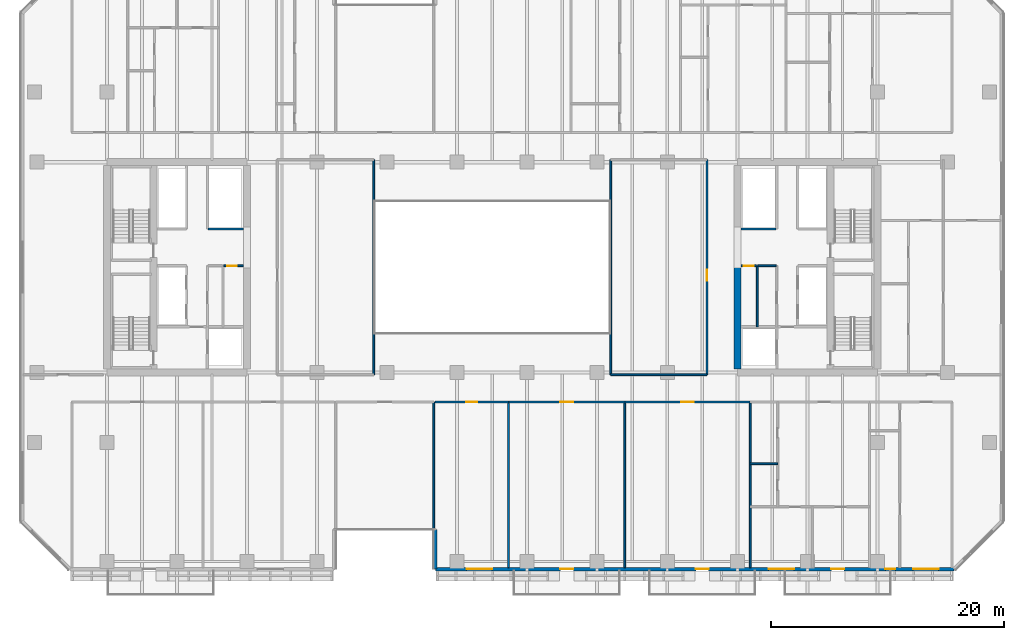
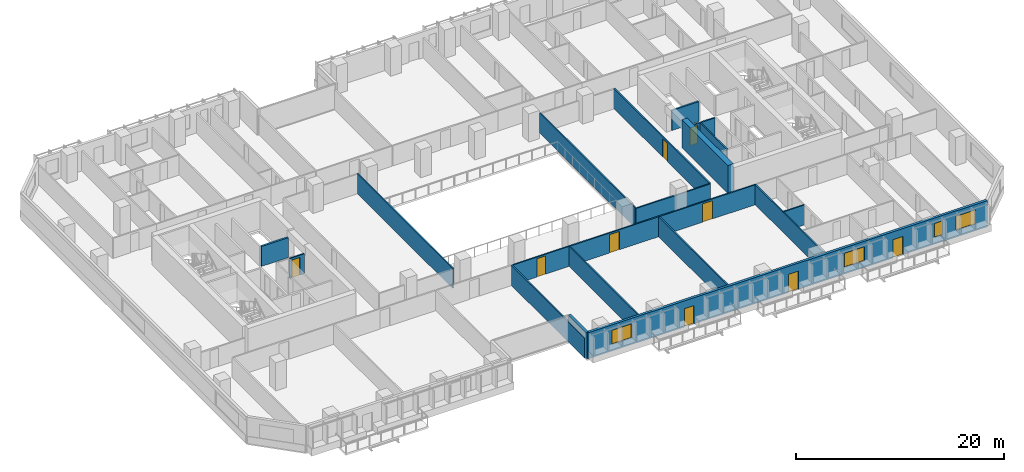
# One storey, part 11 of 25: 21 walls, 9 doors, 4 windows, 13 openings.
"""IFC4 building model written with IfcOpenShell, lengths in metres."""

from ifc_helpers import new_model, si_unit, direction, frame, frame_2d, origin, place, context, subcontext, project, spatial, rectangle, extrude, material, layer, layer_set, type_object, element, fill, save


model = new_model("IFC4")

# Units and contexts
model_context = context("Model", 3, precision=1e-05, world=origin(), true_north=direction((0.0, 1.0)))
body_context = subcontext(model_context, "Body", "Model", "MODEL_VIEW")
ifc_project = project(units=[si_unit("LENGTHUNIT", "METRE"), si_unit("AREAUNIT", "SQUARE_METRE"), si_unit("VOLUMEUNIT", "CUBIC_METRE"), si_unit("PLANEANGLEUNIT", "RADIAN"), si_unit("MASSUNIT", "GRAM", prefix="KILO")], contexts=[model_context])

# Site, building, storey
site_placement = place(None, origin())
site = spatial("IfcSite", under=ifc_project, at=site_placement, CompositionType="ELEMENT")
building_placement = place(site_placement, origin())
building = spatial("IfcBuilding", under=site, at=building_placement, Name="Tanjung Sevakor Pilgrim Tower", CompositionType="ELEMENT")
storey_placement = place(building_placement, frame((0.0, 0.0, 42.239990234375)))
storey = spatial("IfcBuildingStorey", under=building, at=storey_placement, Name="L11", CompositionType="ELEMENT", Elevation=42.239990234375)

# Wall
ifc_material_1 = material(Name="Concrete C60/75", Category="concrete")
ifc_layer_1 = layer(ifc_material_1, 0.60009765625)
ifc_layer_set_1 = layer_set([ifc_layer_1], Name="WALL-CW-600")
wall_type_1 = type_object("IfcWallType", Name="WALL-CW-600", PredefinedType="SHEAR", material=ifc_layer_set_1)
wall_1_placement = place(storey_placement, frame((78.0, 24.89990234375, 0.0), z_axis=(0.0, 0.0, 1.0), x_axis=(0.0, 1.0, 0.0)))
element("IfcWall", 1, at=wall_1_placement, inside=storey, type_object=wall_type_1, Name="L11 E Core Inner Shear Wall South", PredefinedType="SHEAR", context=body_context, shape_type="SweptSolid", body=[
    extrude(rectangle(XDim=8.900146484375, YDim=0.60009765625, at=frame_2d((4.4501953125, 0.0))), origin(), (0.0, 0.0, 1.0), 3.300048828125),
])

# Wall, opening, door
ifc_material_2 = material(Name="Concrete C40/50", Category="concrete")
ifc_layer_2 = layer(ifc_material_2, 0.14990234375)
ifc_layer_set_2 = layer_set([ifc_layer_2], Name="WT-COMP-150")
wall_type_2 = type_object("IfcWallType", Name="WT-COMP-150", PredefinedType="SOLIDWALL", material=ifc_layer_set_2)
wall_2_placement = place(storey_placement, frame((34.010009765625, 33.719970703125, 0.0), z_axis=(0.0, 0.0, 1.0), x_axis=(1.0, 0.0, 0.0)))
wall_2 = element("IfcWall", 2, at=wall_2_placement, inside=storey, type_object=wall_type_2, Name="L11 Partition IW-L11-007", PredefinedType="SOLIDWALL", context=body_context, shape_type="SweptSolid", body=[
    extrude(rectangle(XDim=1.669921875, YDim=0.14990234375, at=frame_2d((0.8349609375, 0.0))), origin(), (0.0, 0.0, 1.0), 2.35009765625),
])
opening_1_placement = place(wall_2_placement, frame((0.280029296875, 0.0, 0.0)))
opening_1 = element("IfcOpeningElement", 3, at=opening_1_placement, cuts=wall_2, Name="Opening ID-FD3", PredefinedType="OPENING", context=body_context, shape_type="SweptSolid", body=[
    extrude(rectangle(XDim=0.85009765625, YDim=2.10009765625, at=frame_2d((0.425048828125, 1.050048828125))), frame((0.0, 0.0849609375, 0.0), z_axis=(0.0, -1.0, 0.0), x_axis=(1.0, 0.0, 0.0)), (0.0, 0.0, 1.0), 0.169921875),
])
ifc_material_3 = material(Name="Fire-Rated Timber", Category="wood")
door_type_1 = type_object("IfcDoorType", Name="DT-FIRE-850", OperationType="NOTDEFINED", PredefinedType="DOOR", material=ifc_material_3)
door_1_placement = place(opening_1_placement, origin())
door_1 = element("IfcDoor", 4, at=door_1_placement, inside=storey, type_object=door_type_1, Name="L11 Service Store Door", OperationType="SINGLE_SWING_RIGHT", OverallHeight=2.10009765625, OverallWidth=0.85009765625, PredefinedType="DOOR", context=body_context, shape_type="SweptSolid", body=[
    extrude(rectangle(XDim=0.85009765625, YDim=2.10009765625, at=frame_2d((0.425048828125, 1.050048828125))), frame((0.0, 0.02490234375, 0.0), z_axis=(0.0, -1.0, 0.0), x_axis=(1.0, 0.0, 0.0)), (0.0, 0.0, 1.0), 0.050048828125),
])
fill(opening_1, door_1)

# Walls
wall_3_placement = place(storey_placement, frame((79.699951171875, 28.5, 0.0), z_axis=(0.0, 0.0, 1.0), x_axis=(0.0, 1.0, 0.0)))
element("IfcWall", 5, at=wall_3_placement, inside=storey, type_object=wall_type_2, Name="L11 Partition IW-L11-017", PredefinedType="SOLIDWALL", context=body_context, shape_type="SweptSolid", body=[
    extrude(rectangle(XDim=5.219970703125, YDim=0.14990234375, at=frame_2d((2.60986328125, 0.0))), origin(), (0.0, 0.0, 1.0), 2.35009765625),
])
wall_4_placement = place(storey_placement, frame((79.760009765625, 33.719970703125, 0.0), z_axis=(0.0, 0.0, 1.0), x_axis=(1.0, 0.0, 0.0)))
element("IfcWall", 6, at=wall_4_placement, inside=storey, type_object=wall_type_2, Name="L11 Partition IW-L11-018", PredefinedType="SOLIDWALL", context=body_context, shape_type="SweptSolid", body=[
    extrude(rectangle(XDim=1.56005859375, YDim=0.14990234375, at=frame_2d((0.780029296875, 0.0))), origin(), (0.0, 0.0, 1.0), 2.35009765625),
])

# Wall, opening, door
wall_5_placement = place(storey_placement, frame((78.320068359375, 33.719970703125, 0.0), z_axis=(0.0, 0.0, 1.0), x_axis=(1.0, 0.0, 0.0)))
wall_5 = element("IfcWall", 7, at=wall_5_placement, inside=storey, type_object=wall_type_2, Name="L11 Partition IW-L11-019", PredefinedType="SOLIDWALL", context=body_context, shape_type="SweptSolid", body=[
    extrude(rectangle(XDim=1.31982421875, YDim=0.14990234375, at=frame_2d((0.659912109375, 0.0))), origin(), (0.0, 0.0, 1.0), 2.35009765625),
])
opening_2_placement = place(wall_5_placement, frame((0.219970703125, 0.0, 0.0)))
opening_2 = element("IfcOpeningElement", 8, at=opening_2_placement, cuts=wall_5, Name="Opening ID-FD3", PredefinedType="OPENING", context=body_context, shape_type="SweptSolid", body=[
    extrude(rectangle(XDim=0.85009765625, YDim=2.10009765625, at=frame_2d((0.425048828125, 1.050048828125))), frame((0.0, 0.0849609375, 0.0), z_axis=(0.0, -1.0, 0.0), x_axis=(1.0, 0.0, 0.0)), (0.0, 0.0, 1.0), 0.169921875),
])
door_2_placement = place(opening_2_placement, origin())
door_2 = element("IfcDoor", 9, at=door_2_placement, inside=storey, type_object=door_type_1, Name="L11 Service Store Door", OperationType="SINGLE_SWING_RIGHT", OverallHeight=2.10009765625, OverallWidth=0.85009765625, PredefinedType="DOOR", context=body_context, shape_type="SweptSolid", body=[
    extrude(rectangle(XDim=0.85009765625, YDim=2.10009765625, at=frame_2d((0.425048828125, 1.050048828125))), frame((0.0, 0.02490234375, 0.0), z_axis=(0.0, -1.0, 0.0), x_axis=(1.0, 0.0, 0.0)), (0.0, 0.0, 1.0), 0.050048828125),
])
fill(opening_2, door_2)

# Walls
wall_6_placement = place(storey_placement, frame((46.85009765625, 24.39990234375, 0.0), z_axis=(0.0, 0.0, 1.0), x_axis=(0.0, 1.0, 0.0)))
element("IfcWall", 10, at=wall_6_placement, inside=storey, type_object=wall_type_2, Name="L11 Partition IW-L11-028", PredefinedType="SOLIDWALL", context=body_context, shape_type="SweptSolid", body=[
    extrude(rectangle(XDim=18.400146484375, YDim=0.14990234375, at=frame_2d((9.2001953125, 0.0))), origin(), (0.0, 0.0, 1.0), 2.35009765625),
])
wall_7_placement = place(storey_placement, frame((67.14990234375, 24.39990234375, 0.0), z_axis=(0.0, 0.0, 1.0), x_axis=(1.0, 0.0, 0.0)))
element("IfcWall", 11, at=wall_7_placement, inside=storey, type_object=wall_type_2, Name="L11 Partition IW-L11-029", PredefinedType="SOLIDWALL", context=body_context, shape_type="SweptSolid", body=[
    extrude(rectangle(XDim=8.25, YDim=0.14990234375, at=frame_2d((4.125, 0.0))), origin(), (0.0, 0.0, 1.0), 2.295166015625),
])
wall_8_placement = place(storey_placement, frame((67.14990234375, 24.39990234375, 0.0), z_axis=(0.0, 0.0, 1.0), x_axis=(0.0, 1.0, 0.0)))
element("IfcWall", 12, at=wall_8_placement, inside=storey, type_object=wall_type_2, Name="L11 Partition IW-L11-031", PredefinedType="SOLIDWALL", context=body_context, shape_type="SweptSolid", body=[
    extrude(rectangle(XDim=18.400146484375, YDim=0.14990234375, at=frame_2d((9.2001953125, 0.0))), origin(), (0.0, 0.0, 1.0), 2.35009765625),
])

# Wall, opening, door
wall_9_placement = place(storey_placement, frame((75.39990234375, 24.39990234375, 0.0), z_axis=(0.0, 0.0, 1.0), x_axis=(0.0, 1.0, 0.0)))
wall_9 = element("IfcWall", 13, at=wall_9_placement, inside=storey, type_object=wall_type_2, Name="L11 Partition IW-L11-032", PredefinedType="SOLIDWALL", context=body_context, shape_type="SweptSolid", body=[
    extrude(rectangle(XDim=18.400146484375, YDim=0.14990234375, at=frame_2d((9.2001953125, 0.0))), origin(), (0.0, 0.0, 1.0), 2.35009765625),
])
opening_3_placement = place(wall_9_placement, frame((8.02490234375, 0.0, 0.0)))
opening_3 = element("IfcOpeningElement", 14, at=opening_3_placement, cuts=wall_9, Name="Opening ID-RM1", PredefinedType="OPENING", context=body_context, shape_type="SweptSolid", body=[
    extrude(rectangle(XDim=0.949951171875, YDim=2.14990234375, at=frame_2d((0.47509765625, 1.074951171875))), frame((0.0, 0.0849609375, 0.0), z_axis=(0.0, -1.0, 0.0), x_axis=(1.0, 0.0, 0.0)), (0.0, 0.0, 1.0), 0.169921875),
])
ifc_material_4 = material(Name="Hardwood Timber", Category="wood")
door_type_2 = type_object("IfcDoorType", Name="DT-INT-950", OperationType="NOTDEFINED", PredefinedType="DOOR", material=ifc_material_4)
door_3_placement = place(opening_3_placement, origin())
door_3 = element("IfcDoor", 15, at=door_3_placement, inside=storey, type_object=door_type_2, Name="L11 Central East Room Door", OperationType="SINGLE_SWING_LEFT", OverallHeight=2.14990234375, OverallWidth=0.949951171875, PredefinedType="DOOR", context=body_context, shape_type="SweptSolid", body=[
    extrude(rectangle(XDim=0.949951171875, YDim=2.14990234375, at=frame_2d((0.47509765625, 1.074951171875))), frame((0.0, 0.02490234375, 0.0), z_axis=(0.0, -1.0, 0.0), x_axis=(1.0, 0.0, 0.0)), (0.0, 0.0, 1.0), 0.050048828125),
])
fill(opening_3, door_3)

# Walls
for number, where, z_axis, x_axis, name in (
    (16, (52.0, 7.8798828125, 0.0), (0.0, 0.0, 1.0), (0.0, 1.0, 0.0), "L11 Partition IW-L11-042"),
    (17, (58.408203125, 7.8798828125, 0.0), (0.0, 0.0, 1.0), (0.0, 1.0, 0.0), "L11 Partition IW-L11-051"),
):
    element("IfcWall", number, at=place(storey_placement, frame(where, z_axis=z_axis, x_axis=x_axis)), inside=storey, type_object=wall_type_2, Name=name, PredefinedType="SOLIDWALL", context=body_context, shape_type="SweptSolid", body=[
        extrude(rectangle(XDim=14.170166015625, YDim=0.14990234375, at=frame_2d((7.0849609375, 0.0))), origin(), (0.0, 0.0, 1.0), 2.35009765625),
    ])

# Wall, opening, door
wall_10_placement = place(storey_placement, frame((52.1201171875, 22.050048828125, 0.0), z_axis=(0.0, 0.0, 1.0), x_axis=(1.0, 0.0, 0.0)))
wall_10 = element("IfcWall", 18, at=wall_10_placement, inside=storey, type_object=wall_type_2, Name="L11 Partition IW-L11-052", PredefinedType="SOLIDWALL", context=body_context, shape_type="SweptSolid", body=[
    extrude(rectangle(XDim=6.2880859375, YDim=0.14990234375, at=frame_2d((3.14404296875, 0.0))), origin(), (0.0, 0.0, 1.0), 2.35009765625),
])
opening_4_placement = place(wall_10_placement, frame((2.669189453125, 0.0, 0.0)))
opening_4 = element("IfcOpeningElement", 19, at=opening_4_placement, cuts=wall_10, Name="Opening ID-FD2", PredefinedType="OPENING", context=body_context, shape_type="SweptSolid", body=[
    extrude(rectangle(XDim=0.949951171875, YDim=2.14990234375, at=frame_2d((0.47509765625, 1.074951171875))), frame((0.0, 0.0849609375, 0.0), z_axis=(0.0, -1.0, 0.0), x_axis=(1.0, 0.0, 0.0)), (0.0, 0.0, 1.0), 0.169921875),
])
ifc_material_5 = material(Name="Fire-Rated Timber", Category="wood")
door_type_3 = type_object("IfcDoorType", Name="DT-FIRE-950", OperationType="NOTDEFINED", PredefinedType="DOOR", material=ifc_material_5)
door_4_placement = place(opening_4_placement, origin())
door_4 = element("IfcDoor", 20, at=door_4_placement, inside=storey, type_object=door_type_3, Name="Housekeeping Pantry Door", OperationType="SINGLE_SWING_LEFT", OverallHeight=2.14990234375, OverallWidth=0.949951171875, PredefinedType="DOOR", context=body_context, shape_type="SweptSolid", body=[
    extrude(rectangle(XDim=0.949951171875, YDim=2.14990234375, at=frame_2d((0.47509765625, 1.074951171875))), frame((0.0, 0.02490234375, 0.0), z_axis=(0.0, -1.0, 0.0), x_axis=(1.0, 0.0, 0.0)), (0.0, 0.0, 1.0), 0.050048828125),
])
fill(opening_4, door_4)

# Wall
wall_11_placement = place(storey_placement, frame((68.36474609375, 7.8798828125, 0.0), z_axis=(0.0, 0.0, 1.0), x_axis=(0.0, 1.0, 0.0)))
element("IfcWall", 21, at=wall_11_placement, inside=storey, type_object=wall_type_2, Name="L11 Partition IW-L11-053", PredefinedType="SOLIDWALL", context=body_context, shape_type="SweptSolid", body=[
    extrude(rectangle(XDim=14.170166015625, YDim=0.14990234375, at=frame_2d((7.0849609375, 0.0))), origin(), (0.0, 0.0, 1.0), 2.35009765625),
])

# Wall, opening, door
wall_12_placement = place(storey_placement, frame((58.408203125, 22.050048828125, 0.0), z_axis=(0.0, 0.0, 1.0), x_axis=(1.0, 0.0, 0.0)))
wall_12 = element("IfcWall", 22, at=wall_12_placement, inside=storey, type_object=wall_type_2, Name="L11 Partition IW-L11-054", PredefinedType="SOLIDWALL", context=body_context, shape_type="SweptSolid", body=[
    extrude(rectangle(XDim=9.95654296875, YDim=0.14990234375, at=frame_2d((4.978271484375, 0.0))), origin(), (0.0, 0.0, 1.0), 2.35009765625),
])
opening_5_placement = place(wall_12_placement, frame((4.42822265625, 0.0, 0.0)))
opening_5 = element("IfcOpeningElement", 23, at=opening_5_placement, cuts=wall_12, Name="Opening ID-FD0", PredefinedType="OPENING", context=body_context, shape_type="SweptSolid", body=[
    extrude(rectangle(XDim=1.10009765625, YDim=2.14990234375, at=frame_2d((0.550048828125, 1.074951171875))), frame((0.0, 0.0849609375, 0.0), z_axis=(0.0, -1.0, 0.0), x_axis=(1.0, 0.0, 0.0)), (0.0, 0.0, 1.0), 0.169921875),
])
ifc_material_6 = material(Name="Fire-Rated Steel S355J2", Category="steel")
door_type_4 = type_object("IfcDoorType", Name="DT-FIRE-1100", OperationType="NOTDEFINED", PredefinedType="DOOR", material=ifc_material_6)
door_5_placement = place(opening_5_placement, origin())
door_5 = element("IfcDoor", 24, at=door_5_placement, inside=storey, type_object=door_type_4, Name="Seminar Room Door", OperationType="SINGLE_SWING_RIGHT", OverallHeight=2.14990234375, OverallWidth=1.10009765625, PredefinedType="DOOR", context=body_context, shape_type="SweptSolid", body=[
    extrude(rectangle(XDim=1.10009765625, YDim=2.14990234375, at=frame_2d((0.550048828125, 1.074951171875))), frame((0.0, 0.02490234375, 0.0), z_axis=(0.0, -1.0, 0.0), x_axis=(1.0, 0.0, 0.0)), (0.0, 0.0, 1.0), 0.050048828125),
])
fill(opening_5, door_5)

# Wall
wall_13_placement = place(storey_placement, frame((79.107177734375, 7.8798828125, 0.0), z_axis=(0.0, 0.0, 1.0), x_axis=(0.0, 1.0, 0.0)))
element("IfcWall", 25, at=wall_13_placement, inside=storey, type_object=wall_type_2, Name="L11 Partition IW-L11-055", PredefinedType="SOLIDWALL", context=body_context, shape_type="SweptSolid", body=[
    extrude(rectangle(XDim=14.170166015625, YDim=0.14990234375, at=frame_2d((7.0849609375, 0.0))), origin(), (0.0, 0.0, 1.0), 2.35009765625),
])

# Wall, opening, door
wall_14_placement = place(storey_placement, frame((68.36474609375, 22.050048828125, 0.0), z_axis=(0.0, 0.0, 1.0), x_axis=(1.0, 0.0, 0.0)))
wall_14 = element("IfcWall", 26, at=wall_14_placement, inside=storey, type_object=wall_type_2, Name="L11 Partition IW-L11-056", PredefinedType="SOLIDWALL", context=body_context, shape_type="SweptSolid", body=[
    extrude(rectangle(XDim=10.742431640625, YDim=0.14990234375, at=frame_2d((5.37109375, 0.0))), origin(), (0.0, 0.0, 1.0), 2.35009765625),
])
opening_6_placement = place(wall_14_placement, frame((4.8212890625, 0.0, 0.0)))
opening_6 = element("IfcOpeningElement", 27, at=opening_6_placement, cuts=wall_14, Name="Opening ID-FD0", PredefinedType="OPENING", context=body_context, shape_type="SweptSolid", body=[
    extrude(rectangle(XDim=1.10009765625, YDim=2.14990234375, at=frame_2d((0.550048828125, 1.074951171875))), frame((0.0, 0.0849609375, 0.0), z_axis=(0.0, -1.0, 0.0), x_axis=(1.0, 0.0, 0.0)), (0.0, 0.0, 1.0), 0.169921875),
])
door_6_placement = place(opening_6_placement, origin())
door_6 = element("IfcDoor", 28, at=door_6_placement, inside=storey, type_object=door_type_4, Name="Observatory Door", OperationType="SINGLE_SWING_LEFT", OverallHeight=2.14990234375, OverallWidth=1.10009765625, PredefinedType="DOOR", context=body_context, shape_type="SweptSolid", body=[
    extrude(rectangle(XDim=1.10009765625, YDim=2.14990234375, at=frame_2d((0.550048828125, 1.074951171875))), frame((0.0, 0.02490234375, 0.0), z_axis=(0.0, -1.0, 0.0), x_axis=(1.0, 0.0, 0.0)), (0.0, 0.0, 1.0), 0.050048828125),
])
fill(opening_6, door_6)

# Wall
ifc_material_7 = material(Name="Precast concrete C45/55", Category="concrete")
ifc_layer_3 = layer(ifc_material_7, 0.280029296875)
ifc_layer_set_3 = layer_set([ifc_layer_3], Name="WT-EW-STN2")
wall_type_3 = type_object("IfcWallType", Name="WT-EW-STN2", PredefinedType="SOLIDWALL", material=ifc_layer_set_3)
wall_15_placement = place(storey_placement, frame((52.139892578125, 11.139892578125, 0.0), z_axis=(0.0, 0.0, 1.0), x_axis=(0.0, -1.0, 0.0)))
element("IfcWall", 29, at=wall_15_placement, inside=storey, type_object=wall_type_3, Name="L11 MAIN Exterior Wall 4", PredefinedType="SOLIDWALL", context=body_context, shape_type="SweptSolid", body=[
    extrude(rectangle(XDim=3.39990234375, YDim=0.280029296875, at=frame_2d((1.699951171875, 0.0))), origin(), (0.0, 0.0, 1.0), 3.080078125),
])

# Wall, openings, doors, windows
wall_16_placement = place(storey_placement, frame((52.139892578125, 7.739990234375, 0.0), z_axis=(0.0, 0.0, 1.0), x_axis=(1.0, 0.0, 0.0)))
wall_16 = element("IfcWall", 30, at=wall_16_placement, inside=storey, type_object=wall_type_3, Name="L11 MAIN Exterior Wall 5", PredefinedType="SOLIDWALL", context=body_context, shape_type="SweptSolid", body=[
    extrude(rectangle(XDim=44.402099609375, YDim=0.280029296875, at=frame_2d((22.201171875, 0.0))), origin(), (0.0, 0.0, 1.0), 3.080078125),
])
opening_7_placement = place(wall_16_placement, frame((10.7099609375, 0.0, 0.0)))
opening_7 = element("IfcOpeningElement", 31, at=opening_7_placement, cuts=wall_16, Name="Opening ED-BAL-1100", PredefinedType="OPENING", context=body_context, shape_type="SweptSolid", body=[
    extrude(rectangle(XDim=1.10009765625, YDim=2.14990234375, at=frame_2d((0.550048828125, 1.074951171875))), frame((0.0, 0.14990234375, 0.0), z_axis=(0.0, -1.0, 0.0), x_axis=(1.0, 0.0, 0.0)), (0.0, 0.0, 1.0), 0.300048828125),
])
opening_8_placement = place(wall_16_placement, frame((22.31005859375, 0.0, 0.0)))
opening_8 = element("IfcOpeningElement", 32, at=opening_8_placement, cuts=wall_16, Name="Opening ED-BAL-1100", PredefinedType="OPENING", context=body_context, shape_type="SweptSolid", body=[
    extrude(rectangle(XDim=1.10009765625, YDim=2.14990234375, at=frame_2d((0.550048828125, 1.074951171875))), frame((0.0, 0.14990234375, 0.0), z_axis=(0.0, -1.0, 0.0), x_axis=(1.0, 0.0, 0.0)), (0.0, 0.0, 1.0), 0.300048828125),
])
opening_9_placement = place(wall_16_placement, frame((33.909912109375, 0.0, 0.0)))
opening_9 = element("IfcOpeningElement", 33, at=opening_9_placement, cuts=wall_16, Name="Opening ED-BAL-1100", PredefinedType="OPENING", context=body_context, shape_type="SweptSolid", body=[
    extrude(rectangle(XDim=1.10009765625, YDim=2.14990234375, at=frame_2d((0.550048828125, 1.074951171875))), frame((0.0, 0.14990234375, 0.0), z_axis=(0.0, -1.0, 0.0), x_axis=(1.0, 0.0, 0.0)), (0.0, 0.0, 1.0), 0.300048828125),
])
opening_10_placement = place(wall_16_placement, frame((2.664306640625, 0.0, 0.780029296875)))
opening_10 = element("IfcOpeningElement", 34, at=opening_10_placement, cuts=wall_16, Name="Opening WN-Z1-1660", PredefinedType="OPENING", context=body_context, shape_type="SweptSolid", body=[
    extrude(rectangle(XDim=2.199951171875, YDim=1.659912109375, at=frame_2d((1.10009765625, 0.830078125))), frame((0.0, 0.14990234375, 0.0), z_axis=(0.0, -1.0, 0.0), x_axis=(1.0, 0.0, 0.0)), (0.0, 0.0, 1.0), 0.300048828125),
])
opening_11_placement = place(wall_16_placement, frame((28.533935546875, 0.0, 0.780029296875)))
opening_11 = element("IfcOpeningElement", 35, at=opening_11_placement, cuts=wall_16, Name="Opening WN-Z1-1660", PredefinedType="OPENING", context=body_context, shape_type="SweptSolid", body=[
    extrude(rectangle(XDim=2.199951171875, YDim=1.659912109375, at=frame_2d((1.10009765625, 0.830078125))), frame((0.0, 0.14990234375, 0.0), z_axis=(0.0, -1.0, 0.0), x_axis=(1.0, 0.0, 0.0)), (0.0, 0.0, 1.0), 0.300048828125),
])
opening_12_placement = place(wall_16_placement, frame((38.5478515625, 0.0, 0.780029296875)))
opening_12 = element("IfcOpeningElement", 36, at=opening_12_placement, cuts=wall_16, Name="Opening WN-SLM", PredefinedType="OPENING", context=body_context, shape_type="SweptSolid", body=[
    extrude(rectangle(XDim=0.85009765625, YDim=1.64990234375, at=frame_2d((0.425048828125, 0.824951171875))), frame((0.0, 0.14990234375, 0.0), z_axis=(0.0, -1.0, 0.0), x_axis=(1.0, 0.0, 0.0)), (0.0, 0.0, 1.0), 0.300048828125),
])
opening_13_placement = place(wall_16_placement, frame((40.909912109375, 0.0, 0.780029296875)))
opening_13 = element("IfcOpeningElement", 37, at=opening_13_placement, cuts=wall_16, Name="Opening WN-Z1-1660", PredefinedType="OPENING", context=body_context, shape_type="SweptSolid", body=[
    extrude(rectangle(XDim=2.199951171875, YDim=1.659912109375, at=frame_2d((1.10009765625, 0.830078125))), frame((0.0, 0.14990234375, 0.0), z_axis=(0.0, -1.0, 0.0), x_axis=(1.0, 0.0, 0.0)), (0.0, 0.0, 1.0), 0.300048828125),
])
ifc_material_8 = material(Name="Anodised Aluminium and Laminated Glass", Category="aluminium")
door_type_5 = type_object("IfcDoorType", Name="DTYP-ED-BAL-1100", OperationType="NOTDEFINED", PredefinedType="DOOR", material=ifc_material_8)
door_7_placement = place(opening_7_placement, frame((1.10009765625, 0.0, 0.0), z_axis=(0.0, 0.0, 1.0), x_axis=(-1.0, 0.0, 0.0)))
door_7 = element("IfcDoor", 38, at=door_7_placement, inside=storey, type_object=door_type_5, Name="L11 Balcony Door MAIN-S2", OperationType="SINGLE_SWING_LEFT", OverallHeight=2.14990234375, OverallWidth=1.10009765625, PredefinedType="DOOR", context=body_context, shape_type="SweptSolid", body=[
    extrude(rectangle(XDim=1.10009765625, YDim=2.14990234375, at=frame_2d((0.550048828125, 1.074951171875))), frame((0.0, 0.02490234375, 0.0), z_axis=(0.0, -1.0, 0.0), x_axis=(1.0, 0.0, 0.0)), (0.0, 0.0, 1.0), 0.050048828125),
])
fill(opening_7, door_7)
door_8_placement = place(opening_8_placement, frame((1.10009765625, 0.0, 0.0), z_axis=(0.0, 0.0, 1.0), x_axis=(-1.0, 0.0, 0.0)))
door_8 = element("IfcDoor", 39, at=door_8_placement, inside=storey, type_object=door_type_5, Name="L11 Balcony Door MAIN-S3", OperationType="SINGLE_SWING_RIGHT", OverallHeight=2.14990234375, OverallWidth=1.10009765625, PredefinedType="DOOR", context=body_context, shape_type="SweptSolid", body=[
    extrude(rectangle(XDim=1.10009765625, YDim=2.14990234375, at=frame_2d((0.550048828125, 1.074951171875))), frame((0.0, 0.02490234375, 0.0), z_axis=(0.0, -1.0, 0.0), x_axis=(1.0, 0.0, 0.0)), (0.0, 0.0, 1.0), 0.050048828125),
])
fill(opening_8, door_8)
door_9_placement = place(opening_9_placement, frame((1.10009765625, 0.0, 0.0), z_axis=(0.0, 0.0, 1.0), x_axis=(-1.0, 0.0, 0.0)))
door_9 = element("IfcDoor", 40, at=door_9_placement, inside=storey, type_object=door_type_5, Name="L11 Balcony Door MAIN-S4", OperationType="SINGLE_SWING_LEFT", OverallHeight=2.14990234375, OverallWidth=1.10009765625, PredefinedType="DOOR", context=body_context, shape_type="SweptSolid", body=[
    extrude(rectangle(XDim=1.10009765625, YDim=2.14990234375, at=frame_2d((0.550048828125, 1.074951171875))), frame((0.0, 0.02490234375, 0.0), z_axis=(0.0, -1.0, 0.0), x_axis=(1.0, 0.0, 0.0)), (0.0, 0.0, 1.0), 0.050048828125),
])
fill(opening_9, door_9)
ifc_material_9 = material(Name="Thermally Broken Aluminium and Low-E Glass", Category="aluminium")
window_type_1 = type_object("IfcWindowType", Name="WTYP-WN-SLM", PartitioningType="SINGLE_PANEL", PredefinedType="WINDOW", material=ifc_material_9)
window_1_placement = place(opening_12_placement, origin())
window_1 = element("IfcWindow", 41, at=window_1_placement, inside=storey, type_object=window_type_1, Name="L11 Facade Window 03", OverallHeight=1.64990234375, OverallWidth=0.85009765625, PartitioningType="SINGLE_PANEL", PredefinedType="WINDOW", context=body_context, shape_type="SweptSolid", body=[
    extrude(rectangle(XDim=0.85009765625, YDim=1.64990234375, at=frame_2d((0.425048828125, 0.824951171875))), frame((0.0, 0.030029296875, 0.0), z_axis=(0.0, -1.0, 0.0), x_axis=(1.0, 0.0, 0.0)), (0.0, 0.0, 1.0), 0.06005859375),
])
fill(opening_12, window_1)
ifc_material_10 = material(Name="Thermally Broken Aluminium and Low-E Glass", Category="aluminium")
window_type_2 = type_object("IfcWindowType", Name="WTYP-WN-Z1-1660", PartitioningType="DOUBLE_PANEL_VERTICAL", PredefinedType="WINDOW", material=ifc_material_10)
window_2_placement = place(opening_10_placement, origin())
window_2 = element("IfcWindow", 42, at=window_2_placement, inside=storey, type_object=window_type_2, Name="L11 Facade Window 01", OverallHeight=1.659912109375, OverallWidth=2.199951171875, PartitioningType="SINGLE_PANEL", PredefinedType="WINDOW", context=body_context, shape_type="SweptSolid", body=[
    extrude(rectangle(XDim=2.199951171875, YDim=1.659912109375, at=frame_2d((1.10009765625, 0.830078125))), frame((0.0, 0.030029296875, 0.0), z_axis=(0.0, -1.0, 0.0), x_axis=(1.0, 0.0, 0.0)), (0.0, 0.0, 1.0), 0.06005859375),
])
fill(opening_10, window_2)
window_3_placement = place(opening_11_placement, origin())
window_3 = element("IfcWindow", 43, at=window_3_placement, inside=storey, type_object=window_type_2, Name="L11 Facade Window 02", OverallHeight=1.659912109375, OverallWidth=2.199951171875, PartitioningType="SINGLE_PANEL", PredefinedType="WINDOW", context=body_context, shape_type="SweptSolid", body=[
    extrude(rectangle(XDim=2.199951171875, YDim=1.659912109375, at=frame_2d((1.10009765625, 0.830078125))), frame((0.0, 0.030029296875, 0.0), z_axis=(0.0, -1.0, 0.0), x_axis=(1.0, 0.0, 0.0)), (0.0, 0.0, 1.0), 0.06005859375),
])
fill(opening_11, window_3)
window_4_placement = place(opening_13_placement, origin())
window_4 = element("IfcWindow", 44, at=window_4_placement, inside=storey, type_object=window_type_2, Name="L11 Facade Window 04", OverallHeight=1.659912109375, OverallWidth=2.199951171875, PartitioningType="SINGLE_PANEL", PredefinedType="WINDOW", context=body_context, shape_type="SweptSolid", body=[
    extrude(rectangle(XDim=2.199951171875, YDim=1.659912109375, at=frame_2d((1.10009765625, 0.830078125))), frame((0.0, 0.030029296875, 0.0), z_axis=(0.0, -1.0, 0.0), x_axis=(1.0, 0.0, 0.0)), (0.0, 0.0, 1.0), 0.06005859375),
])
fill(opening_13, window_4)

# Walls
ifc_material_11 = material(Name="Concrete C40/50", Category="concrete")
ifc_layer_4 = layer(ifc_material_11, 0.199951171875)
ifc_layer_set_4 = layer_set([ifc_layer_4], Name="WT-FPRT-200")
wall_type_4 = type_object("IfcWallType", Name="WT-FPRT-200", PredefinedType="SOLIDWALL", material=ifc_layer_set_4)
for number, where, z_axis, x_axis, name in (
    (45, (32.679931640625, 36.8798828125, 0.0), (0.0, 0.0, 1.0), (1.0, 0.0, 0.0), "L11 Partition IW-L11-011"),
    (46, (78.320068359375, 36.8798828125, 0.0), (0.0, 0.0, 1.0), (1.0, 0.0, 0.0), "L11 Partition IW-L11-023"),
):
    element("IfcWall", number, at=place(storey_placement, frame(where, z_axis=z_axis, x_axis=x_axis)), inside=storey, type_object=wall_type_4, Name=name, PredefinedType="SOLIDWALL", context=body_context, shape_type="SweptSolid", body=[
        extrude(rectangle(XDim=3.0, YDim=0.199951171875, at=frame_2d((1.5, 0.0))), origin(), (0.0, 0.0, 1.0), 2.35009765625),
    ])
ifc_material_12 = material(Name="Gypsum Board Partition", Category="gypsum board")
ifc_layer_5 = layer(ifc_material_12, 0.14990234375)
ifc_layer_set_5 = layer_set([ifc_layer_5], Name="WT-PART-150")
wall_type_5 = type_object("IfcWallType", Name="WT-PART-150", PredefinedType="PARTITIONING", material=ifc_layer_set_5)
wall_17_placement = place(storey_placement, frame((79.107177734375, 16.7578125, 0.0), z_axis=(0.0, 0.0, 1.0), x_axis=(1.0, 0.0, 0.0)))
element("IfcWall", 47, at=wall_17_placement, inside=storey, type_object=wall_type_5, Name="L11 Partition IW-L11-058", PredefinedType="PARTITIONING", context=body_context, shape_type="SweptSolid", body=[
    extrude(rectangle(XDim=2.35009765625, YDim=0.14990234375, at=frame_2d((1.175048828125, 0.0))), origin(), (0.0, 0.0, 1.0), 2.35009765625),
])

save(model, "model.ifc")
